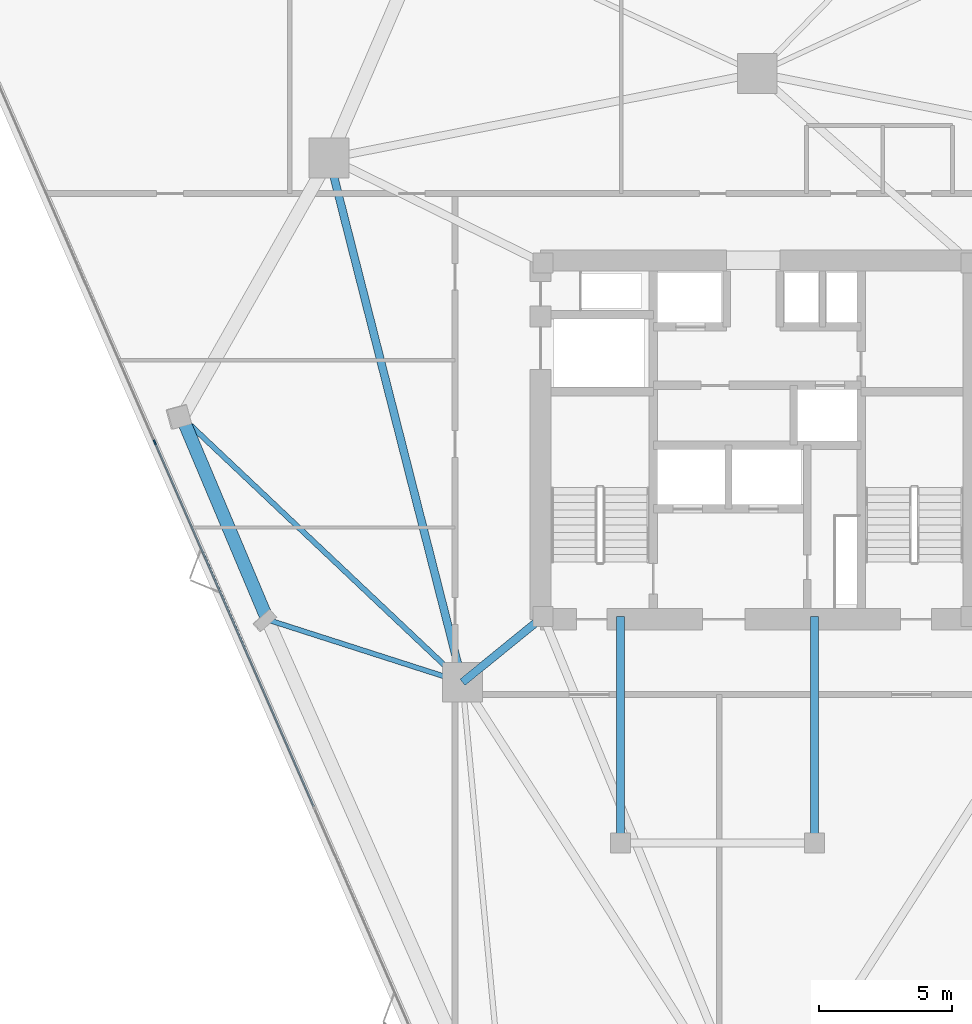
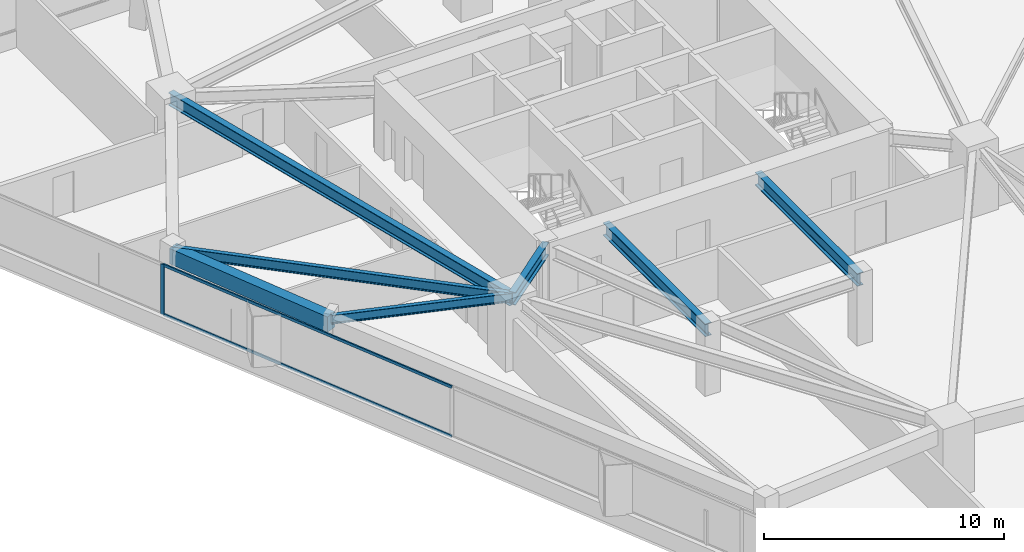
# One storey, part 4 of 14: 7 beams, 3 members, 1 element without a shape of its own.
"""IFC4 building model written with IfcOpenShell, lengths in metres."""

from ifc_helpers import new_model, si_unit, direction, frame, origin, origin_2d, place, context, subcontext, project, spatial, rectangle, i_section, extrude, material, layer, layer_set, material_profile, profile_set, type_object, element, aggregate, save


model = new_model("IFC4")

# Units and contexts
model_context = context("Model", 3, precision=1e-05, world=origin(), true_north=direction((0.0, 1.0)))
body_context = subcontext(model_context, "Body", "Model", "MODEL_VIEW")
ifc_project = project(units=[si_unit("LENGTHUNIT", "METRE"), si_unit("AREAUNIT", "SQUARE_METRE"), si_unit("VOLUMEUNIT", "CUBIC_METRE"), si_unit("PLANEANGLEUNIT", "RADIAN"), si_unit("MASSUNIT", "GRAM", prefix="KILO")], contexts=[model_context])

# Site, building, storey
site_placement = place(None, origin())
site = spatial("IfcSite", under=ifc_project, at=site_placement, CompositionType="ELEMENT")
building_placement = place(site_placement, origin())
building = spatial("IfcBuilding", under=site, at=building_placement, Name="Talyreon Biosciences Tower", CompositionType="ELEMENT")
storey_placement = place(building_placement, frame((0.0, 0.0, 141.800048828125)))
storey = spatial("IfcBuildingStorey", under=building, at=storey_placement, Name="L37", CompositionType="ELEMENT", Elevation=141.800048828125)

# Curtain wall, members
ifc_material_1 = material(Name="Thermally broken aluminium and low-E glazing", Category="aluminium")
ifc_layer = layer(ifc_material_1, 0.18505859375)
ifc_layer_set = layer_set([ifc_layer], Name="Thermally broken aluminium and low-E glazing")
curtain_wall_type = type_object("IfcCurtainWallType", Name="CurtainWall_Zone3Bioprocess", PredefinedType="NOTDEFINED", material=ifc_layer_set)
curtain_wall_placement = place(storey_placement, origin())
curtain_wall = element("IfcCurtainWall", 1, at=curtain_wall_placement, inside=storey, type_object=curtain_wall_type, Name="L37 Unitised Curtain Wall FCW-L37-00", PredefinedType="NOTDEFINED")
ifc_material_2 = material(Name="Anodised thermally broken aluminium", Category="aluminium")
ifc_material_profile_1 = material_profile(ifc_material_2, rectangle(XDim=0.06494140625, YDim=0.179931640625, at=origin_2d()), Name="ALUM MULLION 65x180")
ifc_profile_set_1 = profile_set([ifc_material_profile_1], Name="Anodised thermally broken aluminium")
member_type_1 = type_object("IfcMemberType", Name="CWMullion_65x180", PredefinedType="MULLION", material=ifc_profile_set_1)
member_1_placement = place(storey_placement, frame((43.3388671875, 67.910400390625, 0.81005859375), z_axis=(0.0, 0.0, 1.0), x_axis=(-0.916566441856, -0.399882429801, 0.0)))
member_1 = element("IfcMember", 2, at=member_1_placement, type_object=member_type_1, Name="CW4 mullion 4", PredefinedType="MULLION", context=body_context, shape_type="SweptSolid", body=[
    extrude(rectangle(XDim=0.06494140625, YDim=0.179931640625, at=origin_2d()), origin(), (0.0, 0.0, 1.0), 2.56494140625),
])
ifc_material_profile_2 = material_profile(ifc_material_2, rectangle(XDim=0.06494140625, YDim=0.139892578125, at=origin_2d()), Name="ALUM TRANSOM 65x140")
ifc_profile_set_2 = profile_set([ifc_material_profile_2], Name="Anodised thermally broken aluminium")
member_type_2 = type_object("IfcMemberType", Name="CWTransom_65x140", PredefinedType="USERDEFINED", material=ifc_profile_set_2)
member_2_placement = place(storey_placement, frame((49.3154296875, 54.2119140625, 0.842529296875), z_axis=(-0.399893696756, 0.916561526192, 0.0), x_axis=(-0.916561526192, -0.399893696756, 0.0)))
member_2 = element("IfcMember", 3, at=member_2_placement, type_object=member_type_2, Name="CW4 transom 3.1", ObjectType="TRANSOM", PredefinedType="USERDEFINED", context=body_context, shape_type="SweptSolid", body=[
    extrude(rectangle(XDim=0.06494140625, YDim=0.139892578125, at=origin_2d()), origin(), (0.0, 0.0, 1.0), 14.9130859375),
])
member_3_placement = place(storey_placement, frame((49.3154296875, 54.2119140625, 3.342529296875), z_axis=(-0.399893696756, 0.916561526192, 0.0), x_axis=(-0.916561526192, -0.399893696756, 0.0)))
member_3 = element("IfcMember", 4, at=member_3_placement, type_object=member_type_2, Name="CW4 transom 3.2", ObjectType="TRANSOM", PredefinedType="USERDEFINED", context=body_context, shape_type="SweptSolid", body=[
    extrude(rectangle(XDim=0.06494140625, YDim=0.139892578125, at=origin_2d()), origin(), (0.0, 0.0, 1.0), 14.9130859375),
])
aggregate(curtain_wall, [member_1, member_2, member_3])

# Beams
ifc_material_3 = material(Name="Precast concrete C45/55", Category="concrete")
ifc_material_profile_3 = material_profile(ifc_material_3, rectangle(XDim=0.5, YDim=0.780029296875, at=origin_2d()), Name="RCB 500x780")
ifc_profile_set_3 = profile_set([ifc_material_profile_3], Name="Precast concrete C45/55")
beam_type_1 = type_object("IfcBeamType", Name="ExpressedSpandrel_500x780", PredefinedType="SPANDREL", material=ifc_profile_set_3)
beam_1_placement = place(storey_placement, frame((44.3662109375, 68.845947265625, 2.98486328125), z_axis=(0.388639728171, -0.921389798992, 0.0), x_axis=(0.921389798992, 0.388639728171, 0.0)))
element("IfcBeam", 5, at=beam_1_placement, inside=storey, type_object=beam_type_1, Name="L37 Expressed Horizontal Concrete Spandrel 10", PredefinedType="SPANDREL", context=body_context, shape_type="SweptSolid", body=[
    extrude(rectangle(XDim=0.5, YDim=0.780029296875, at=origin_2d()), origin(), (0.0, 0.0, 1.0), 8.2587890625),
])
ifc_material_4 = material(Name="Steel SM355", Category="steel")
ifc_material_profile_4 = material_profile(ifc_material_4, i_section(OverallWidth=0.300048828125, OverallDepth=0.64990234375, WebThickness=0.01611328125, FlangeThickness=0.031005859375, FilletRadius=0.027099609375, at=origin_2d()), Name="HE650B")
ifc_profile_set_4 = profile_set([ifc_material_profile_4], Name="Steel SM355")
beam_type_2 = type_object("IfcBeamType", Name="SteelBeam_HE650B", PredefinedType="BEAM", material=ifc_profile_set_4)
beam_2_placement = place(storey_placement, frame((49.897705078125, 78.5986328125, 3.050048828125), z_axis=(0.246537082299, -0.969133358755, 0.0), x_axis=(0.969133358755, 0.246537082299, 0.0)))
element("IfcBeam", 6, at=beam_2_placement, inside=storey, type_object=beam_type_2, Name="L37 Mega-Ring Girder 5", PredefinedType="BEAM", context=body_context, shape_type="SweptSolid", body=[
    extrude(i_section(OverallWidth=0.300048828125, OverallDepth=0.64990234375, WebThickness=0.01611328125, FlangeThickness=0.031005859375, FilletRadius=0.027099609375, at=origin_2d()), origin(), (0.0, 0.0, 1.0), 20.34619140625),
])
beam_3_placement = place(storey_placement, frame((57.949951171875, 61.35009765625, 3.050048828125), z_axis=(-0.775755154013, -0.631034025249, 0.0), x_axis=(0.631034025249, -0.775755154013, 0.0)))
element("IfcBeam", 7, at=beam_3_placement, inside=storey, type_object=beam_type_2, Name="L37 Radial Primary Girder 6", PredefinedType="BEAM", context=body_context, shape_type="SweptSolid", body=[
    extrude(i_section(OverallWidth=0.300048828125, OverallDepth=0.64990234375, WebThickness=0.01611328125, FlangeThickness=0.031005859375, FilletRadius=0.027099609375, at=origin_2d()), origin(), (0.0, 0.0, 1.0), 3.913818359375),
])
for number, where, z_axis, x_axis, name in (
    (8, (60.85009765625, 52.840087890625, 3.050048828125), (0.0, 1.0, 0.0), (-1.0, 0.0, 0.0), "L37 Crown Shaft Tie Girder W"),
    (9, (68.14990234375, 52.840087890625, 3.050048828125), (0.0, 1.0, 0.0), (-1.0, 0.0, 0.0), "L37 Crown Shaft Tie Girder E"),
):
    element("IfcBeam", number, at=place(storey_placement, frame(where, z_axis=z_axis, x_axis=x_axis)), inside=storey, type_object=beam_type_2, Name=name, PredefinedType="BEAM", context=body_context, shape_type="SweptSolid", body=[
        extrude(i_section(OverallWidth=0.300048828125, OverallDepth=0.64990234375, WebThickness=0.01611328125, FlangeThickness=0.031005859375, FilletRadius=0.027099609375, at=origin_2d()), origin(), (0.0, 0.0, 1.0), 8.510009765625),
    ])
ifc_material_profile_5 = material_profile(ifc_material_4, i_section(OverallWidth=0.18994140625, OverallDepth=0.449951171875, WebThickness=0.009521484375, FlangeThickness=0.0146484375, FilletRadius=0.02099609375, at=origin_2d()), Name="IPE450")
ifc_profile_set_5 = profile_set([ifc_material_profile_5], Name="Steel SM355")
beam_type_3 = type_object("IfcBeamType", Name="SteelJoist_IPE450", PredefinedType="JOIST", material=ifc_profile_set_5)
beam_4_placement = place(storey_placement, frame((54.913818359375, 58.88037109375, 3.14990234375), z_axis=(-0.952128709497, 0.305697433013, 0.0), x_axis=(-0.305697433013, -0.952128709497, 0.0)))
element("IfcBeam", 10, at=beam_4_placement, inside=storey, type_object=beam_type_3, Name="L37 Radial Composite Floor Joist PL-SW", PredefinedType="JOIST", context=body_context, shape_type="SweptSolid", body=[
    extrude(i_section(OverallWidth=0.18994140625, OverallDepth=0.449951171875, WebThickness=0.009521484375, FlangeThickness=0.0146484375, FilletRadius=0.02099609375, at=origin_2d()), origin(), (0.0, 0.0, 1.0), 7.706787109375),
])
ifc_material_profile_6 = material_profile(ifc_material_4, i_section(OverallWidth=0.199951171875, OverallDepth=0.5, WebThickness=0.01025390625, FlangeThickness=0.01611328125, FilletRadius=0.02099609375, at=origin_2d()), Name="IPE500")
ifc_profile_set_6 = profile_set([ifc_material_profile_6], Name="Steel SM355")
beam_type_4 = type_object("IfcBeamType", Name="SteelJoist_IPE500", PredefinedType="JOIST", material=ifc_profile_set_6)
beam_5_placement = place(storey_placement, frame((54.913818359375, 58.88037109375, 3.125), z_axis=(-0.726877360565, 0.686767284237, 0.0), x_axis=(-0.686767284237, -0.726877360565, 0.0)))
element("IfcBeam", 11, at=beam_5_placement, inside=storey, type_object=beam_type_4, Name="L37 Radial Composite Floor Joist PC-SW1", PredefinedType="JOIST", context=body_context, shape_type="SweptSolid", body=[
    extrude(i_section(OverallWidth=0.199951171875, OverallDepth=0.5, WebThickness=0.01025390625, FlangeThickness=0.01611328125, FilletRadius=0.02099609375, at=origin_2d()), origin(), (0.0, 0.0, 1.0), 14.5107421875),
])

save(model, "model.ifc")
